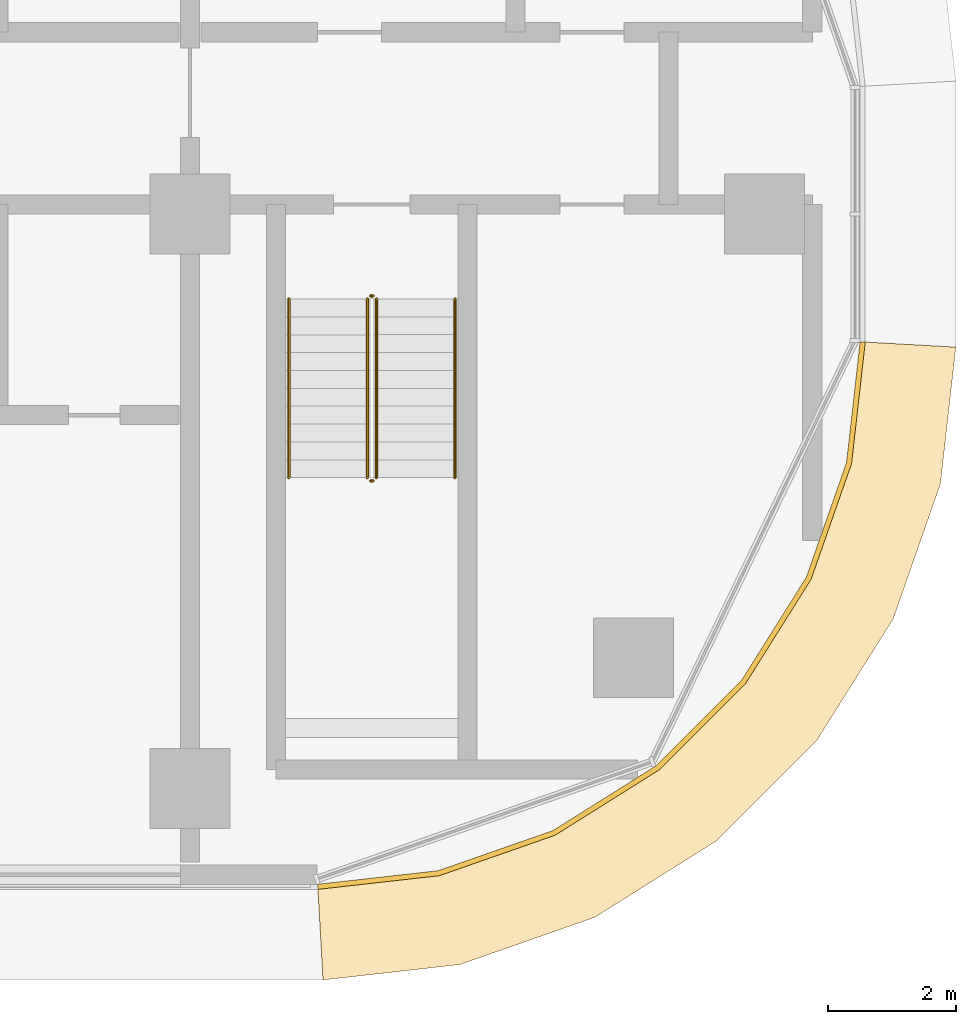
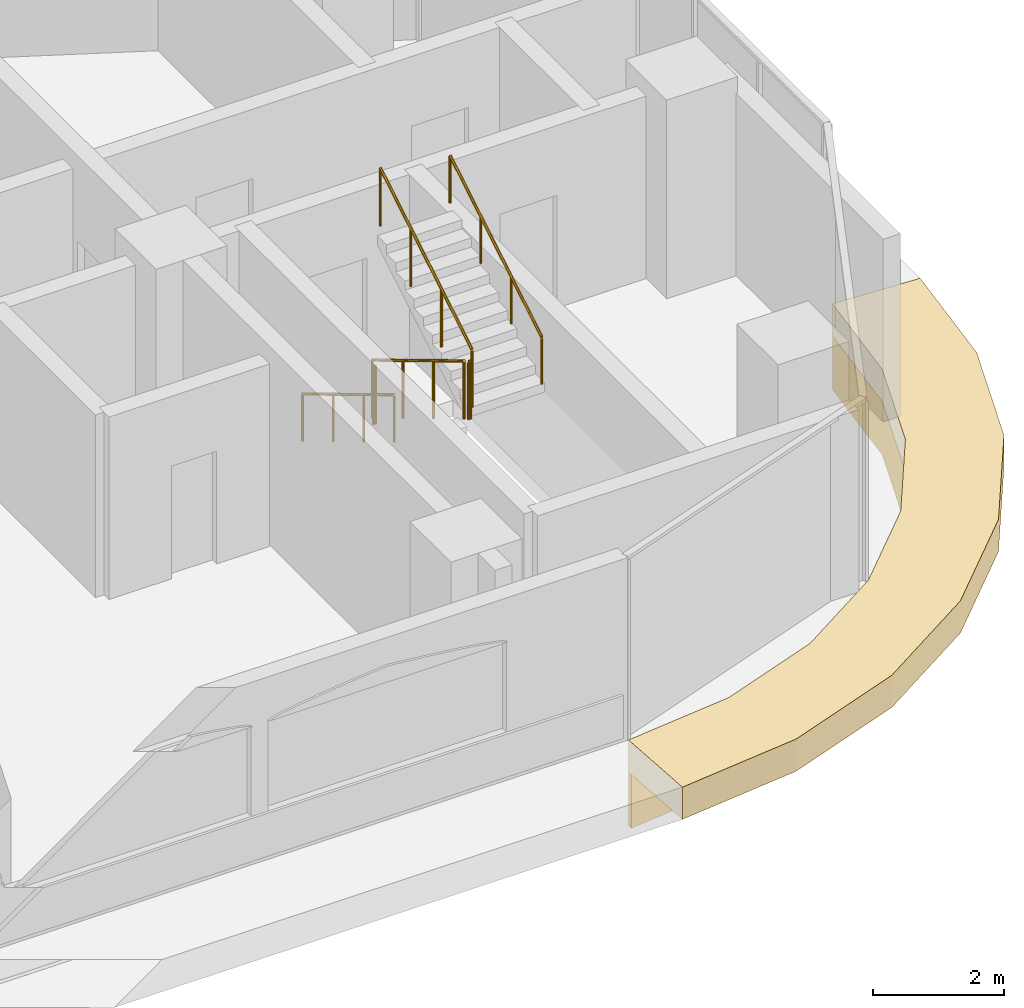
# One storey, part 22 of 25: 6 railings, 2 coverings.
"""IFC4 building model written with IfcOpenShell, lengths in metres."""

from ifc_helpers import new_model, si_unit, direction, frame, origin, origin_2d, place, context, subcontext, project, spatial, polyline, circle, outline, extrude, material, layer, layer_set, type_object, element, save


model = new_model("IFC4")

# Units and contexts
model_context = context("Model", 3, precision=1e-05, world=origin(), true_north=direction((0.0, 1.0)))
body_context = subcontext(model_context, "Body", "Model", "MODEL_VIEW")
ifc_project = project(units=[si_unit("LENGTHUNIT", "METRE"), si_unit("AREAUNIT", "SQUARE_METRE"), si_unit("VOLUMEUNIT", "CUBIC_METRE"), si_unit("PLANEANGLEUNIT", "RADIAN"), si_unit("MASSUNIT", "GRAM", prefix="KILO")], contexts=[model_context])

# Site, building, storey
site_placement = place(None, origin())
site = spatial("IfcSite", under=ifc_project, at=site_placement, CompositionType="ELEMENT")
building_placement = place(site_placement, origin())
building = spatial("IfcBuilding", under=site, at=building_placement, Name="Ogive Portal Towers", CompositionType="ELEMENT")
storey_placement = place(building_placement, frame((0.0, 0.0, 105.60009765625)))
storey = spatial("IfcBuildingStorey", under=building, at=storey_placement, Name="L25", CompositionType="ELEMENT", Elevation=105.60009765625)

# Railings
ifc_material_1 = material(Name="Stainless steel balustrade", Category="steel")
railing_type_1 = type_object("IfcRailingType", Name="INT-GUARD", PredefinedType="GUARDRAIL", material=ifc_material_1)
railing_1_placement = place(storey_placement, frame((88.280029296875, 29.169921875, 0.16796875)))
element("IfcRailing", 1, at=railing_1_placement, inside=storey, type_object=railing_type_1, Name="L25 ST-A4 stair guard 1", PredefinedType="GUARDRAIL", context=body_context, shape_type="SweptSolid", body=[
    extrude(circle(Radius=0.02392578125, at=origin_2d()), frame((0.0, 0.0, 1.076171875), z_axis=(0.0, -0.857222391501, 0.514946377315), x_axis=(1.0, 0.0, 0.0)), (0.0, 0.0, 1.0), 3.26611328125),
    extrude(circle(Radius=0.02099609375, at=origin_2d()), origin(), (0.0, 0.0, 1.0), 1.052001953125),
    extrude(circle(Radius=0.02099609375, at=origin_2d()), frame((0.0, -0.933349609375, 0.560546875)), (0.0, 0.0, 1.0), 1.052001953125),
    extrude(circle(Radius=0.02099609375, at=origin_2d()), frame((0.0, -1.866455078125, 1.121337890625)), (0.0, 0.0, 1.0), 1.052001953125),
    extrude(circle(Radius=0.02099609375, at=origin_2d()), frame((0.0, -2.7998046875, 1.681884765625)), (0.0, 0.0, 1.0), 1.052001953125),
])
railing_2_placement = place(storey_placement, frame((88.330078125, 26.320068359375, 1.849853515625)))
element("IfcRailing", 2, at=railing_2_placement, inside=storey, type_object=railing_type_1, Name="L25 ST-A4 stair guard 2", PredefinedType="GUARDRAIL", context=body_context, shape_type="SweptSolid", body=[
    extrude(circle(Radius=0.02392578125, at=origin_2d()), frame((0.0, 0.0, 1.076171875), z_axis=(1.0, 0.0, 0.0), x_axis=(0.0, 1.0, 0.0)), (0.0, 0.0, 1.0), 0.0400390625),
    extrude(circle(Radius=0.02099609375, at=origin_2d()), origin(), (0.0, 0.0, 1.0), 1.052001953125),
    extrude(circle(Radius=0.02099609375, at=origin_2d()), frame((0.0400390625, 0.0, 0.0)), (0.0, 0.0, 1.0), 1.052001953125),
])
railing_3_placement = place(storey_placement, frame((88.419921875, 26.3701171875, 2.01806640625)))
element("IfcRailing", 3, at=railing_3_placement, inside=storey, type_object=railing_type_1, Name="L25 ST-A4 stair guard 3", PredefinedType="GUARDRAIL", context=body_context, shape_type="SweptSolid", body=[
    extrude(circle(Radius=0.02392578125, at=origin_2d()), frame((0.0, 0.0, 1.076171875), z_axis=(0.0, 0.857222391501, 0.514946377315), x_axis=(-1.0, 0.0, 0.0)), (0.0, 0.0, 1.0), 3.26611328125),
    extrude(circle(Radius=0.02099609375, at=origin_2d()), origin(), (0.0, 0.0, 1.0), 1.052001953125),
    extrude(circle(Radius=0.02099609375, at=origin_2d()), frame((0.0, 0.933349609375, 0.560546875)), (0.0, 0.0, 1.0), 1.052001953125),
    extrude(circle(Radius=0.02099609375, at=origin_2d()), frame((0.0, 1.866455078125, 1.121337890625)), (0.0, 0.0, 1.0), 1.052001953125),
    extrude(circle(Radius=0.02099609375, at=origin_2d()), frame((0.0, 2.7998046875, 1.681884765625)), (0.0, 0.0, 1.0), 1.052001953125),
])
railing_4_placement = place(storey_placement, frame((88.330078125, 29.219970703125, 0.0)))
element("IfcRailing", 4, at=railing_4_placement, inside=storey, type_object=railing_type_1, Name="L25 ST-A4 stair guard 4", PredefinedType="GUARDRAIL", context=body_context, shape_type="SweptSolid", body=[
    extrude(circle(Radius=0.02392578125, at=origin_2d()), frame((0.0, 0.0, 1.076171875), z_axis=(1.0, 0.0, 0.0), x_axis=(0.0, 1.0, 0.0)), (0.0, 0.0, 1.0), 0.0400390625),
    extrude(circle(Radius=0.02099609375, at=origin_2d()), origin(), (0.0, 0.0, 1.0), 1.052001953125),
    extrude(circle(Radius=0.02099609375, at=origin_2d()), frame((0.0400390625, 0.0, 0.0)), (0.0, 0.0, 1.0), 1.052001953125),
])
ifc_material_2 = material(Name="Stainless steel handrail", Category="steel")
railing_type_2 = type_object("IfcRailingType", Name="INT-HANDRAIL", PredefinedType="HANDRAIL", material=ifc_material_2)
railing_5_placement = place(storey_placement, frame((87.050048828125, 29.169921875, 0.16796875)))
element("IfcRailing", 5, at=railing_5_placement, inside=storey, type_object=railing_type_2, Name="L25 ST-A4 stair handrail 1", PredefinedType="HANDRAIL", context=body_context, shape_type="SweptSolid", body=[
    extrude(circle(Radius=0.02392578125, at=origin_2d()), frame((0.0, 0.0, 0.8759765625), z_axis=(0.0, -0.857222391501, 0.514946377315), x_axis=(1.0, 0.0, 0.0)), (0.0, 0.0, 1.0), 3.26611328125),
    extrude(circle(Radius=0.02099609375, at=origin_2d()), origin(), (0.0, 0.0, 1.0), 0.851806640625),
    extrude(circle(Radius=0.02099609375, at=origin_2d()), frame((0.0, -0.933349609375, 0.560546875)), (0.0, 0.0, 1.0), 0.851806640625),
    extrude(circle(Radius=0.02099609375, at=origin_2d()), frame((0.0, -1.866455078125, 1.121337890625)), (0.0, 0.0, 1.0), 0.851806640625),
    extrude(circle(Radius=0.02099609375, at=origin_2d()), frame((0.0, -2.7998046875, 1.681884765625)), (0.0, 0.0, 1.0), 0.851806640625),
])
railing_6_placement = place(storey_placement, frame((89.64990234375, 26.3701171875, 2.01806640625)))
element("IfcRailing", 6, at=railing_6_placement, inside=storey, type_object=railing_type_2, Name="L25 ST-A4 stair handrail 2", PredefinedType="HANDRAIL", context=body_context, shape_type="SweptSolid", body=[
    extrude(circle(Radius=0.02392578125, at=origin_2d()), frame((0.0, 0.0, 0.8759765625), z_axis=(0.0, 0.857222391501, 0.514946377315), x_axis=(-1.0, 0.0, 0.0)), (0.0, 0.0, 1.0), 3.26611328125),
    extrude(circle(Radius=0.02099609375, at=origin_2d()), origin(), (0.0, 0.0, 1.0), 0.851806640625),
    extrude(circle(Radius=0.02099609375, at=origin_2d()), frame((0.0, 0.933349609375, 0.560546875)), (0.0, 0.0, 1.0), 0.851806640625),
    extrude(circle(Radius=0.02099609375, at=origin_2d()), frame((0.0, 1.866455078125, 1.121337890625)), (0.0, 0.0, 1.0), 0.851806640625),
    extrude(circle(Radius=0.02099609375, at=origin_2d()), frame((0.0, 2.7998046875, 1.681884765625)), (0.0, 0.0, 1.0), 0.851806640625),
])

# Coverings
ifc_material_3 = material(Name="Limestone cladding on lightweight block wall", Category="masonry")
ifc_layer_1 = layer(ifc_material_3, 0.080078125)
ifc_layer_set_1 = layer_set([ifc_layer_1], Name="STONE SPANDREL 80")
covering_type_1 = type_object("IfcCoveringType", Name="STONE SPANDREL 80", PredefinedType="CLADDING", material=ifc_layer_set_1)
covering_1_placement = place(storey_placement, frame((0.0, 0.0, -1.60009765625)))
element("IfcCovering", 7, at=covering_1_placement, inside=storey, type_object=covering_type_1, Name="Stone spandrel A1-F06", PredefinedType="CLADDING", context=body_context, shape_type="SweptSolid", body=[
    extrude(outline(polyline([(87.5, 20.0), (89.391357421875, 20.213134765625), (91.18798828125, 20.841796875), (92.799560546875, 21.8544921875), (94.1455078125, 23.200439453125), (95.158203125, 24.81201171875), (95.786865234375, 26.608642578125), (96.0, 28.5), (96.080078125, 28.49560546875), (95.865478515625, 26.590576171875), (95.230712890625, 24.777099609375), (94.20849609375, 23.150146484375), (92.849853515625, 21.79150390625), (91.222900390625, 20.769287109375), (89.409423828125, 20.134521484375), (87.50439453125, 19.919921875), (87.5, 20.0)])), origin(), (0.0, 0.0, 1.0), 1.0),
])
ifc_layer_2 = layer(ifc_material_3, 0.60009765625)
ifc_layer_set_2 = layer_set([ifc_layer_2], Name="SUNSHADE LIP 600")
covering_type_2 = type_object("IfcCoveringType", Name="SUNSHADE LIP 600", PredefinedType="CLADDING", material=ifc_layer_set_2)
covering_2_placement = place(storey_placement, frame((0.0, 0.0, -0.60009765625)))
element("IfcCovering", 8, at=covering_2_placement, inside=storey, type_object=covering_type_2, Name="Sunshade lip A1-F06", PredefinedType="CLADDING", context=body_context, shape_type="SweptSolid", body=[
    extrude(outline(polyline([(87.5, 20.0), (89.391357421875, 20.213134765625), (91.18798828125, 20.841796875), (92.799560546875, 21.8544921875), (94.1455078125, 23.200439453125), (95.158203125, 24.81201171875), (95.786865234375, 26.608642578125), (96.0, 28.5), (97.5, 28.415771484375), (97.258544921875, 26.272705078125), (96.518310546875, 24.156982421875), (95.32568359375, 22.25927734375), (93.74072265625, 20.67431640625), (91.843017578125, 19.481689453125), (89.727294921875, 18.741455078125), (87.584228515625, 18.5), (87.5, 20.0)])), origin(), (0.0, 0.0, 1.0), 0.60009765625),
])

save(model, "model.ifc")
